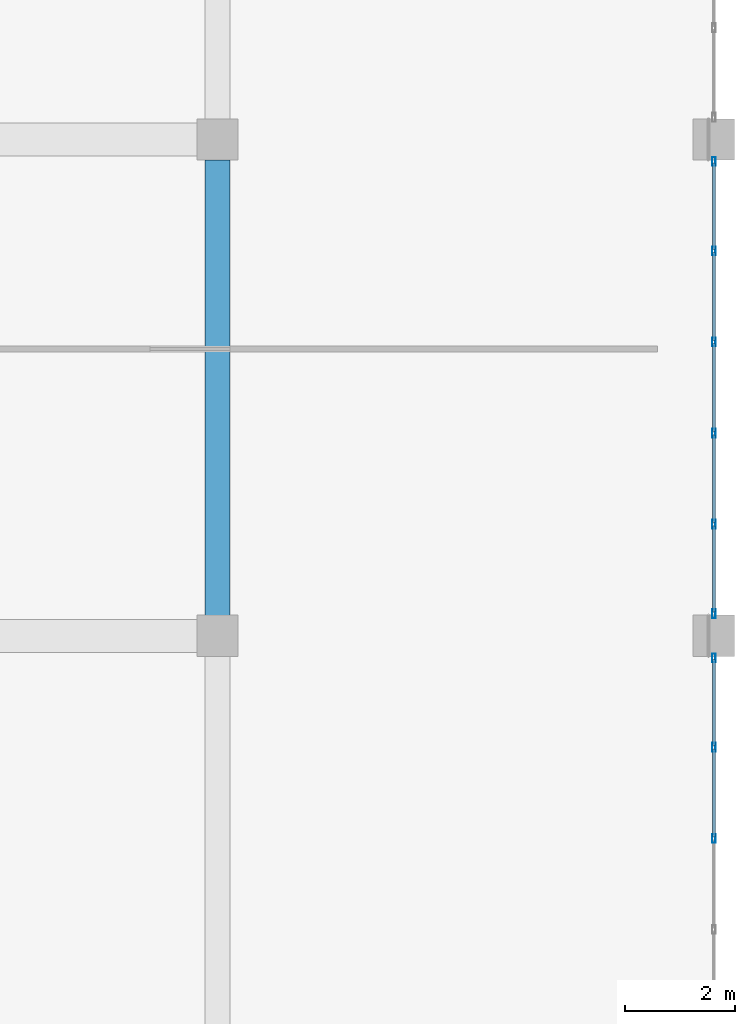
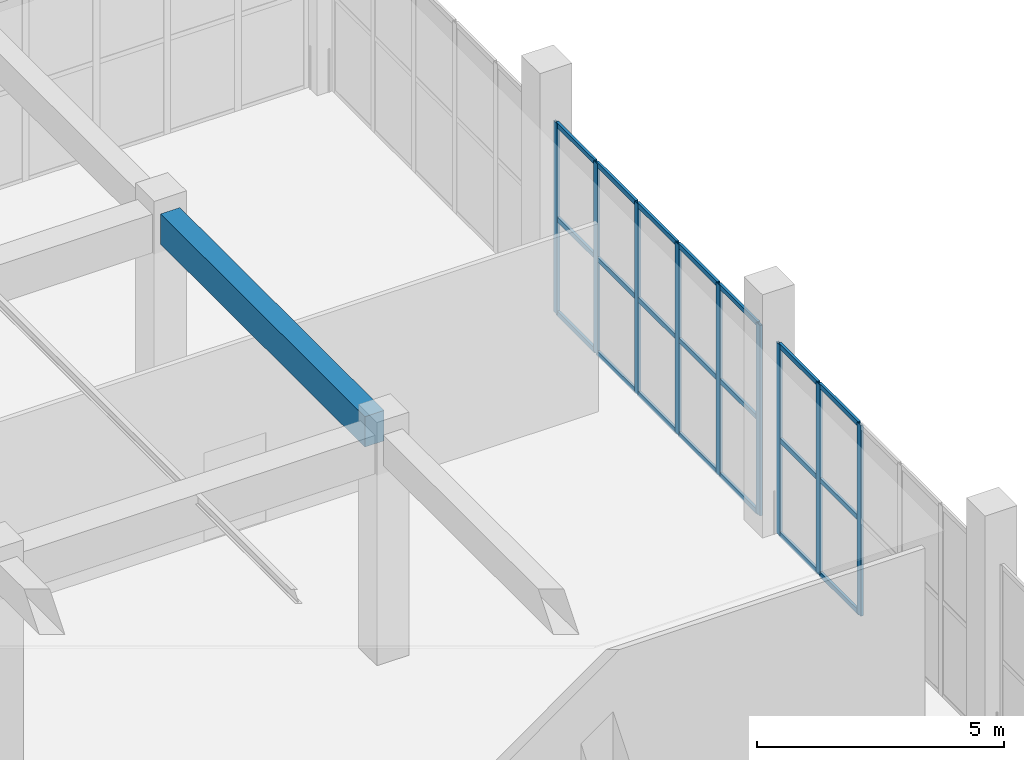
# One storey, part 77 of 223: 30 members, 1 beam, 2 elements without a shape of their own.
"""IFC4 building model written with IfcOpenShell, lengths in metres."""

from ifc_helpers import new_model, si_unit, direction, frame, origin, origin_2d, place, context, subcontext, project, spatial, rectangle, hollow_rectangle, extrude, material, layer, layer_set, material_profile, profile_set, type_object, element, aggregate, save


model = new_model("IFC4")

# Units and contexts
model_context = context("Model", 3, precision=1e-05, world=origin(), true_north=direction((0.0, 1.0)))
body_context = subcontext(model_context, "Body", "Model", "MODEL_VIEW")
ifc_project = project(units=[si_unit("LENGTHUNIT", "METRE"), si_unit("AREAUNIT", "SQUARE_METRE"), si_unit("VOLUMEUNIT", "CUBIC_METRE"), si_unit("PLANEANGLEUNIT", "RADIAN"), si_unit("MASSUNIT", "GRAM", prefix="KILO")], contexts=[model_context])

# Site, building, storey
site_placement = place(None, origin())
site = spatial("IfcSite", under=ifc_project, at=site_placement, CompositionType="ELEMENT")
building_placement = place(site_placement, origin())
building = spatial("IfcBuilding", under=site, at=building_placement, Name="Dornveld Trade and Exhibition Forum", CompositionType="ELEMENT")
storey_placement = place(building_placement, frame((0.0, 0.0, 6.0)))
storey = spatial("IfcBuildingStorey", under=building, at=storey_placement, Name="L01", CompositionType="ELEMENT", Elevation=6.0)

# Beam
ifc_material_1 = material(Name="Precast concrete C50/60", Category="concrete")
ifc_material_profile_1 = material_profile(ifc_material_1, rectangle(XDim=0.449951171875, YDim=0.75, at=origin_2d()), Name="PC-BM 450x750")
ifc_profile_set_1 = profile_set([ifc_material_profile_1], Name="Precast concrete C50/60")
beam_type = type_object("IfcBeamType", Name="BM-PC-450x750", PredefinedType="BEAM", material=ifc_profile_set_1)
beam_placement = place(storey_placement, frame((225.0, 36.37109375, 5.264892578125), z_axis=(0.0, 1.0, 0.0), x_axis=(-1.0, 0.0, 0.0)))
element("IfcBeam", 1, at=beam_placement, inside=storey, type_object=beam_type, Name="L01 Y-girder 1317", PredefinedType="BEAM", context=body_context, shape_type="SweptSolid", body=[
    extrude(rectangle(XDim=0.449951171875, YDim=0.75, at=origin_2d()), origin(), (0.0, 0.0, 1.0), 8.2578125),
])

# Curtain wall, members
ifc_material_2 = material(Name="Dark-bronze anodised aluminium and low-E glass", Category="aluminium")
ifc_layer_1 = layer(ifc_material_2, 0.14501953125)
ifc_layer_set_1 = layer_set([ifc_layer_1], Name="Dark-bronze anodised aluminium and low-E glass")
curtain_wall_type_1 = type_object("IfcCurtainWallType", Name="CW-SYS-01", PredefinedType="USERDEFINED", material=ifc_layer_set_1)
curtain_wall_1_placement = place(storey_placement, origin())
curtain_wall_1 = element("IfcCurtainWall", 2, at=curtain_wall_1_placement, inside=storey, type_object=curtain_wall_type_1, Name="L01 unitised curtain wall 73", ObjectType="UNITISED_CURTAIN_WALL", PredefinedType="USERDEFINED")
ifc_material_3 = material(Name="Dark-bronze anodised aluminium", Category="aluminium")
ifc_material_profile_2 = material_profile(ifc_material_3, hollow_rectangle(XDim=0.06005859375, YDim=0.159912109375, WallThickness=0.00390625, at=origin_2d()), Name="RHS 160x60x4")
ifc_profile_set_2 = profile_set([ifc_material_profile_2], Name="Dark-bronze anodised aluminium")
member_type_1 = type_object("IfcMemberType", Name="CW-MUL-160", PredefinedType="MULLION", material=ifc_profile_set_2)
member_1_placement = place(storey_placement, frame((234.0, 32.32568359375, -0.00390625), z_axis=(0.0, 0.0, 1.0), x_axis=(-1.0, 0.0, 0.0)))
member_1 = element("IfcMember", 3, at=member_1_placement, type_object=member_type_1, Name="CW-01 mullion 4", PredefinedType="MULLION", context=body_context, shape_type="SweptSolid", body=[
    extrude(hollow_rectangle(XDim=0.06005859375, YDim=0.159912109375, WallThickness=0.00390625, at=origin_2d()), origin(), (0.0, 0.0, 1.0), 4.703857421875),
])
member_2_placement = place(storey_placement, frame((234.0, 33.977294921875, -0.00390625), z_axis=(0.0, 0.0, 1.0), x_axis=(-1.0, 0.0, 0.0)))
member_2 = element("IfcMember", 4, at=member_2_placement, type_object=member_type_1, Name="CW-01 mullion 5", PredefinedType="MULLION", context=body_context, shape_type="SweptSolid", body=[
    extrude(hollow_rectangle(XDim=0.06005859375, YDim=0.159912109375, WallThickness=0.00390625, at=origin_2d()), origin(), (0.0, 0.0, 1.0), 4.703857421875),
])
member_3_placement = place(storey_placement, frame((234.0, 35.59912109375, -0.00390625), z_axis=(0.0, 0.0, 1.0), x_axis=(-1.0, 0.0, 0.0)))
member_3 = element("IfcMember", 5, at=member_3_placement, type_object=member_type_1, Name="CW-01 mullion 6", PredefinedType="MULLION", context=body_context, shape_type="SweptSolid", body=[
    extrude(hollow_rectangle(XDim=0.06005859375, YDim=0.159912109375, WallThickness=0.00390625, at=origin_2d()), origin(), (0.0, 0.0, 1.0), 4.703857421875),
])

ifc_material_4 = material(Name="Dark-bronze anodised aluminium and low-E glass", Category="aluminium")
ifc_layer_2 = layer(ifc_material_4, 0.14794921875)
ifc_layer_set_2 = layer_set([ifc_layer_2], Name="Dark-bronze anodised aluminium and low-E glass")
curtain_wall_type_2 = type_object("IfcCurtainWallType", Name="CW-SYS-02", PredefinedType="USERDEFINED", material=ifc_layer_set_2)
curtain_wall_2_placement = place(storey_placement, origin())
curtain_wall_2 = element("IfcCurtainWall", 6, at=curtain_wall_2_placement, inside=storey, type_object=curtain_wall_type_2, Name="L01 unitised curtain wall 74", ObjectType="UNITISED_CURTAIN_WALL", PredefinedType="USERDEFINED")
member_4_placement = place(storey_placement, frame((234.0, 36.40087890625, -0.00390625), z_axis=(0.0, 0.0, 1.0), x_axis=(-1.0, 0.0, 0.0)))
member_4 = element("IfcMember", 7, at=member_4_placement, type_object=member_type_1, Name="CW-02 mullion 1", PredefinedType="MULLION", context=body_context, shape_type="SweptSolid", body=[
    extrude(hollow_rectangle(XDim=0.06005859375, YDim=0.159912109375, WallThickness=0.00390625, at=origin_2d()), origin(), (0.0, 0.0, 1.0), 4.703857421875),
])
member_5_placement = place(storey_placement, frame((234.0, 38.022705078125, -0.00390625), z_axis=(0.0, 0.0, 1.0), x_axis=(-1.0, 0.0, 0.0)))
member_5 = element("IfcMember", 8, at=member_5_placement, type_object=member_type_1, Name="CW-02 mullion 2", PredefinedType="MULLION", context=body_context, shape_type="SweptSolid", body=[
    extrude(hollow_rectangle(XDim=0.06005859375, YDim=0.159912109375, WallThickness=0.00390625, at=origin_2d()), origin(), (0.0, 0.0, 1.0), 4.703857421875),
])
member_6_placement = place(storey_placement, frame((234.0, 39.67431640625, -0.00390625), z_axis=(0.0, 0.0, 1.0), x_axis=(-1.0, 0.0, 0.0)))
member_6 = element("IfcMember", 9, at=member_6_placement, type_object=member_type_1, Name="CW-02 mullion 3", PredefinedType="MULLION", context=body_context, shape_type="SweptSolid", body=[
    extrude(hollow_rectangle(XDim=0.06005859375, YDim=0.159912109375, WallThickness=0.00390625, at=origin_2d()), origin(), (0.0, 0.0, 1.0), 4.703857421875),
])
member_7_placement = place(storey_placement, frame((234.0, 41.32568359375, -0.00390625), z_axis=(0.0, 0.0, 1.0), x_axis=(-1.0, 0.0, 0.0)))
member_7 = element("IfcMember", 10, at=member_7_placement, type_object=member_type_1, Name="CW-02 mullion 4", PredefinedType="MULLION", context=body_context, shape_type="SweptSolid", body=[
    extrude(hollow_rectangle(XDim=0.06005859375, YDim=0.159912109375, WallThickness=0.00390625, at=origin_2d()), origin(), (0.0, 0.0, 1.0), 4.703857421875),
])
member_8_placement = place(storey_placement, frame((234.0, 42.977294921875, -0.00390625), z_axis=(0.0, 0.0, 1.0), x_axis=(-1.0, 0.0, 0.0)))
member_8 = element("IfcMember", 11, at=member_8_placement, type_object=member_type_1, Name="CW-02 mullion 5", PredefinedType="MULLION", context=body_context, shape_type="SweptSolid", body=[
    extrude(hollow_rectangle(XDim=0.06005859375, YDim=0.159912109375, WallThickness=0.00390625, at=origin_2d()), origin(), (0.0, 0.0, 1.0), 4.703857421875),
])
member_9_placement = place(storey_placement, frame((234.0, 44.59912109375, -0.00390625), z_axis=(0.0, 0.0, 1.0), x_axis=(-1.0, 0.0, 0.0)))
member_9 = element("IfcMember", 12, at=member_9_placement, type_object=member_type_1, Name="CW-02 mullion 6", PredefinedType="MULLION", context=body_context, shape_type="SweptSolid", body=[
    extrude(hollow_rectangle(XDim=0.06005859375, YDim=0.159912109375, WallThickness=0.00390625, at=origin_2d()), origin(), (0.0, 0.0, 1.0), 4.703857421875),
])

# Member
ifc_material_5 = material(Name="Dark-bronze anodised aluminium", Category="aluminium")
ifc_material_profile_3 = material_profile(ifc_material_5, hollow_rectangle(XDim=0.06005859375, YDim=0.1201171875, WallThickness=0.00390625, at=origin_2d()), Name="RHS 120x60x4")
ifc_profile_set_3 = profile_set([ifc_material_profile_3], Name="Dark-bronze anodised aluminium")
member_type_2 = type_object("IfcMemberType", Name="CW-TRN-120", PredefinedType="USERDEFINED", material=ifc_profile_set_3)
member_10_placement = place(storey_placement, frame((234.0, 32.355712890625, 0.02587890625), z_axis=(0.0, 1.0, 0.0), x_axis=(-1.0, 0.0, 0.0)))
member_10 = element("IfcMember", 13, at=member_10_placement, type_object=member_type_2, Name="CW-01 transom 4.1", ObjectType="TRANSOM", PredefinedType="USERDEFINED", context=body_context, shape_type="SweptSolid", body=[
    extrude(hollow_rectangle(XDim=0.06005859375, YDim=0.1201171875, WallThickness=0.00390625, at=origin_2d()), origin(), (0.0, 0.0, 1.0), 1.591796875),
])

member_11_placement = place(storey_placement, frame((234.0, 32.355712890625, 2.347900390625), z_axis=(0.0, 1.0, 0.0), x_axis=(-1.0, 0.0, 0.0)))
member_11 = element("IfcMember", 14, at=member_11_placement, type_object=member_type_2, Name="CW-01 transom 4.2", ObjectType="TRANSOM", PredefinedType="USERDEFINED", context=body_context, shape_type="SweptSolid", body=[
    extrude(hollow_rectangle(XDim=0.06005859375, YDim=0.1201171875, WallThickness=0.00390625, at=origin_2d()), origin(), (0.0, 0.0, 1.0), 1.591796875),
])

member_12_placement = place(storey_placement, frame((234.0, 32.355712890625, 4.669921875), z_axis=(0.0, 1.0, 0.0), x_axis=(-1.0, 0.0, 0.0)))
member_12 = element("IfcMember", 15, at=member_12_placement, type_object=member_type_2, Name="CW-01 transom 4.3", ObjectType="TRANSOM", PredefinedType="USERDEFINED", context=body_context, shape_type="SweptSolid", body=[
    extrude(hollow_rectangle(XDim=0.06005859375, YDim=0.1201171875, WallThickness=0.00390625, at=origin_2d()), origin(), (0.0, 0.0, 1.0), 1.591796875),
])

member_13_placement = place(storey_placement, frame((234.0, 34.00732421875, 0.02587890625), z_axis=(0.0, 1.0, 0.0), x_axis=(-1.0, 0.0, 0.0)))
member_13 = element("IfcMember", 16, at=member_13_placement, type_object=member_type_2, Name="CW-01 transom 5.1", ObjectType="TRANSOM", PredefinedType="USERDEFINED", context=body_context, shape_type="SweptSolid", body=[
    extrude(hollow_rectangle(XDim=0.06005859375, YDim=0.1201171875, WallThickness=0.00390625, at=origin_2d()), origin(), (0.0, 0.0, 1.0), 1.561767578125),
])

member_14_placement = place(storey_placement, frame((234.0, 34.00732421875, 2.347900390625), z_axis=(0.0, 1.0, 0.0), x_axis=(-1.0, 0.0, 0.0)))
member_14 = element("IfcMember", 17, at=member_14_placement, type_object=member_type_2, Name="CW-01 transom 5.2", ObjectType="TRANSOM", PredefinedType="USERDEFINED", context=body_context, shape_type="SweptSolid", body=[
    extrude(hollow_rectangle(XDim=0.06005859375, YDim=0.1201171875, WallThickness=0.00390625, at=origin_2d()), origin(), (0.0, 0.0, 1.0), 1.561767578125),
])

member_15_placement = place(storey_placement, frame((234.0, 34.00732421875, 4.669921875), z_axis=(0.0, 1.0, 0.0), x_axis=(-1.0, 0.0, 0.0)))
member_15 = element("IfcMember", 18, at=member_15_placement, type_object=member_type_2, Name="CW-01 transom 5.3", ObjectType="TRANSOM", PredefinedType="USERDEFINED", context=body_context, shape_type="SweptSolid", body=[
    extrude(hollow_rectangle(XDim=0.06005859375, YDim=0.1201171875, WallThickness=0.00390625, at=origin_2d()), origin(), (0.0, 0.0, 1.0), 1.561767578125),
])

aggregate(curtain_wall_1, [member_1, member_2, member_3, member_10, member_11, member_12, member_13, member_14, member_15])

member_16_placement = place(storey_placement, frame((234.0, 36.430908203125, 0.02587890625), z_axis=(0.0, 1.0, 0.0), x_axis=(-1.0, 0.0, 0.0)))
member_16 = element("IfcMember", 19, at=member_16_placement, type_object=member_type_2, Name="CW-02 transom 1.1", ObjectType="TRANSOM", PredefinedType="USERDEFINED", context=body_context, shape_type="SweptSolid", body=[
    extrude(hollow_rectangle(XDim=0.06005859375, YDim=0.1201171875, WallThickness=0.00390625, at=origin_2d()), origin(), (0.0, 0.0, 1.0), 1.561767578125),
])

member_17_placement = place(storey_placement, frame((234.0, 36.430908203125, 2.347900390625), z_axis=(0.0, 1.0, 0.0), x_axis=(-1.0, 0.0, 0.0)))
member_17 = element("IfcMember", 20, at=member_17_placement, type_object=member_type_2, Name="CW-02 transom 1.2", ObjectType="TRANSOM", PredefinedType="USERDEFINED", context=body_context, shape_type="SweptSolid", body=[
    extrude(hollow_rectangle(XDim=0.06005859375, YDim=0.1201171875, WallThickness=0.00390625, at=origin_2d()), origin(), (0.0, 0.0, 1.0), 1.561767578125),
])

member_18_placement = place(storey_placement, frame((234.0, 36.430908203125, 4.669921875), z_axis=(0.0, 1.0, 0.0), x_axis=(-1.0, 0.0, 0.0)))
member_18 = element("IfcMember", 21, at=member_18_placement, type_object=member_type_2, Name="CW-02 transom 1.3", ObjectType="TRANSOM", PredefinedType="USERDEFINED", context=body_context, shape_type="SweptSolid", body=[
    extrude(hollow_rectangle(XDim=0.06005859375, YDim=0.1201171875, WallThickness=0.00390625, at=origin_2d()), origin(), (0.0, 0.0, 1.0), 1.561767578125),
])

member_19_placement = place(storey_placement, frame((234.0, 38.052490234375, 0.02587890625), z_axis=(0.0, 1.0, 0.0), x_axis=(-1.0, 0.0, 0.0)))
member_19 = element("IfcMember", 22, at=member_19_placement, type_object=member_type_2, Name="CW-02 transom 2.1", ObjectType="TRANSOM", PredefinedType="USERDEFINED", context=body_context, shape_type="SweptSolid", body=[
    extrude(hollow_rectangle(XDim=0.06005859375, YDim=0.1201171875, WallThickness=0.00390625, at=origin_2d()), origin(), (0.0, 0.0, 1.0), 1.591796875),
])

member_20_placement = place(storey_placement, frame((234.0, 38.052490234375, 2.347900390625), z_axis=(0.0, 1.0, 0.0), x_axis=(-1.0, 0.0, 0.0)))
member_20 = element("IfcMember", 23, at=member_20_placement, type_object=member_type_2, Name="CW-02 transom 2.2", ObjectType="TRANSOM", PredefinedType="USERDEFINED", context=body_context, shape_type="SweptSolid", body=[
    extrude(hollow_rectangle(XDim=0.06005859375, YDim=0.1201171875, WallThickness=0.00390625, at=origin_2d()), origin(), (0.0, 0.0, 1.0), 1.591796875),
])

member_21_placement = place(storey_placement, frame((234.0, 38.052490234375, 4.669921875), z_axis=(0.0, 1.0, 0.0), x_axis=(-1.0, 0.0, 0.0)))
member_21 = element("IfcMember", 24, at=member_21_placement, type_object=member_type_2, Name="CW-02 transom 2.3", ObjectType="TRANSOM", PredefinedType="USERDEFINED", context=body_context, shape_type="SweptSolid", body=[
    extrude(hollow_rectangle(XDim=0.06005859375, YDim=0.1201171875, WallThickness=0.00390625, at=origin_2d()), origin(), (0.0, 0.0, 1.0), 1.591796875),
])

member_22_placement = place(storey_placement, frame((234.0, 39.7041015625, 0.02587890625), z_axis=(0.0, 1.0, 0.0), x_axis=(-1.0, 0.0, 0.0)))
member_22 = element("IfcMember", 25, at=member_22_placement, type_object=member_type_2, Name="CW-02 transom 3.1", ObjectType="TRANSOM", PredefinedType="USERDEFINED", context=body_context, shape_type="SweptSolid", body=[
    extrude(hollow_rectangle(XDim=0.06005859375, YDim=0.1201171875, WallThickness=0.00390625, at=origin_2d()), origin(), (0.0, 0.0, 1.0), 1.591796875),
])

member_23_placement = place(storey_placement, frame((234.0, 39.7041015625, 2.347900390625), z_axis=(0.0, 1.0, 0.0), x_axis=(-1.0, 0.0, 0.0)))
member_23 = element("IfcMember", 26, at=member_23_placement, type_object=member_type_2, Name="CW-02 transom 3.2", ObjectType="TRANSOM", PredefinedType="USERDEFINED", context=body_context, shape_type="SweptSolid", body=[
    extrude(hollow_rectangle(XDim=0.06005859375, YDim=0.1201171875, WallThickness=0.00390625, at=origin_2d()), origin(), (0.0, 0.0, 1.0), 1.591796875),
])

member_24_placement = place(storey_placement, frame((234.0, 39.7041015625, 4.669921875), z_axis=(0.0, 1.0, 0.0), x_axis=(-1.0, 0.0, 0.0)))
member_24 = element("IfcMember", 27, at=member_24_placement, type_object=member_type_2, Name="CW-02 transom 3.3", ObjectType="TRANSOM", PredefinedType="USERDEFINED", context=body_context, shape_type="SweptSolid", body=[
    extrude(hollow_rectangle(XDim=0.06005859375, YDim=0.1201171875, WallThickness=0.00390625, at=origin_2d()), origin(), (0.0, 0.0, 1.0), 1.591796875),
])

member_25_placement = place(storey_placement, frame((234.0, 41.355712890625, 0.02587890625), z_axis=(0.0, 1.0, 0.0), x_axis=(-1.0, 0.0, 0.0)))
member_25 = element("IfcMember", 28, at=member_25_placement, type_object=member_type_2, Name="CW-02 transom 4.1", ObjectType="TRANSOM", PredefinedType="USERDEFINED", context=body_context, shape_type="SweptSolid", body=[
    extrude(hollow_rectangle(XDim=0.06005859375, YDim=0.1201171875, WallThickness=0.00390625, at=origin_2d()), origin(), (0.0, 0.0, 1.0), 1.591796875),
])

member_26_placement = place(storey_placement, frame((234.0, 41.355712890625, 2.347900390625), z_axis=(0.0, 1.0, 0.0), x_axis=(-1.0, 0.0, 0.0)))
member_26 = element("IfcMember", 29, at=member_26_placement, type_object=member_type_2, Name="CW-02 transom 4.2", ObjectType="TRANSOM", PredefinedType="USERDEFINED", context=body_context, shape_type="SweptSolid", body=[
    extrude(hollow_rectangle(XDim=0.06005859375, YDim=0.1201171875, WallThickness=0.00390625, at=origin_2d()), origin(), (0.0, 0.0, 1.0), 1.591796875),
])

member_27_placement = place(storey_placement, frame((234.0, 41.355712890625, 4.669921875), z_axis=(0.0, 1.0, 0.0), x_axis=(-1.0, 0.0, 0.0)))
member_27 = element("IfcMember", 30, at=member_27_placement, type_object=member_type_2, Name="CW-02 transom 4.3", ObjectType="TRANSOM", PredefinedType="USERDEFINED", context=body_context, shape_type="SweptSolid", body=[
    extrude(hollow_rectangle(XDim=0.06005859375, YDim=0.1201171875, WallThickness=0.00390625, at=origin_2d()), origin(), (0.0, 0.0, 1.0), 1.591796875),
])

member_28_placement = place(storey_placement, frame((234.0, 43.00732421875, 0.02587890625), z_axis=(0.0, 1.0, 0.0), x_axis=(-1.0, 0.0, 0.0)))
member_28 = element("IfcMember", 31, at=member_28_placement, type_object=member_type_2, Name="CW-02 transom 5.1", ObjectType="TRANSOM", PredefinedType="USERDEFINED", context=body_context, shape_type="SweptSolid", body=[
    extrude(hollow_rectangle(XDim=0.06005859375, YDim=0.1201171875, WallThickness=0.00390625, at=origin_2d()), origin(), (0.0, 0.0, 1.0), 1.561767578125),
])

member_29_placement = place(storey_placement, frame((234.0, 43.00732421875, 2.347900390625), z_axis=(0.0, 1.0, 0.0), x_axis=(-1.0, 0.0, 0.0)))
member_29 = element("IfcMember", 32, at=member_29_placement, type_object=member_type_2, Name="CW-02 transom 5.2", ObjectType="TRANSOM", PredefinedType="USERDEFINED", context=body_context, shape_type="SweptSolid", body=[
    extrude(hollow_rectangle(XDim=0.06005859375, YDim=0.1201171875, WallThickness=0.00390625, at=origin_2d()), origin(), (0.0, 0.0, 1.0), 1.561767578125),
])

member_30_placement = place(storey_placement, frame((234.0, 43.00732421875, 4.669921875), z_axis=(0.0, 1.0, 0.0), x_axis=(-1.0, 0.0, 0.0)))
member_30 = element("IfcMember", 33, at=member_30_placement, type_object=member_type_2, Name="CW-02 transom 5.3", ObjectType="TRANSOM", PredefinedType="USERDEFINED", context=body_context, shape_type="SweptSolid", body=[
    extrude(hollow_rectangle(XDim=0.06005859375, YDim=0.1201171875, WallThickness=0.00390625, at=origin_2d()), origin(), (0.0, 0.0, 1.0), 1.561767578125),
])

aggregate(curtain_wall_2, [member_4, member_5, member_6, member_7, member_8, member_9, member_16, member_17, member_18, member_19, member_20, member_21, member_22, member_23, member_24, member_25, member_26, member_27, member_28, member_29, member_30])

save(model, "model.ifc")
